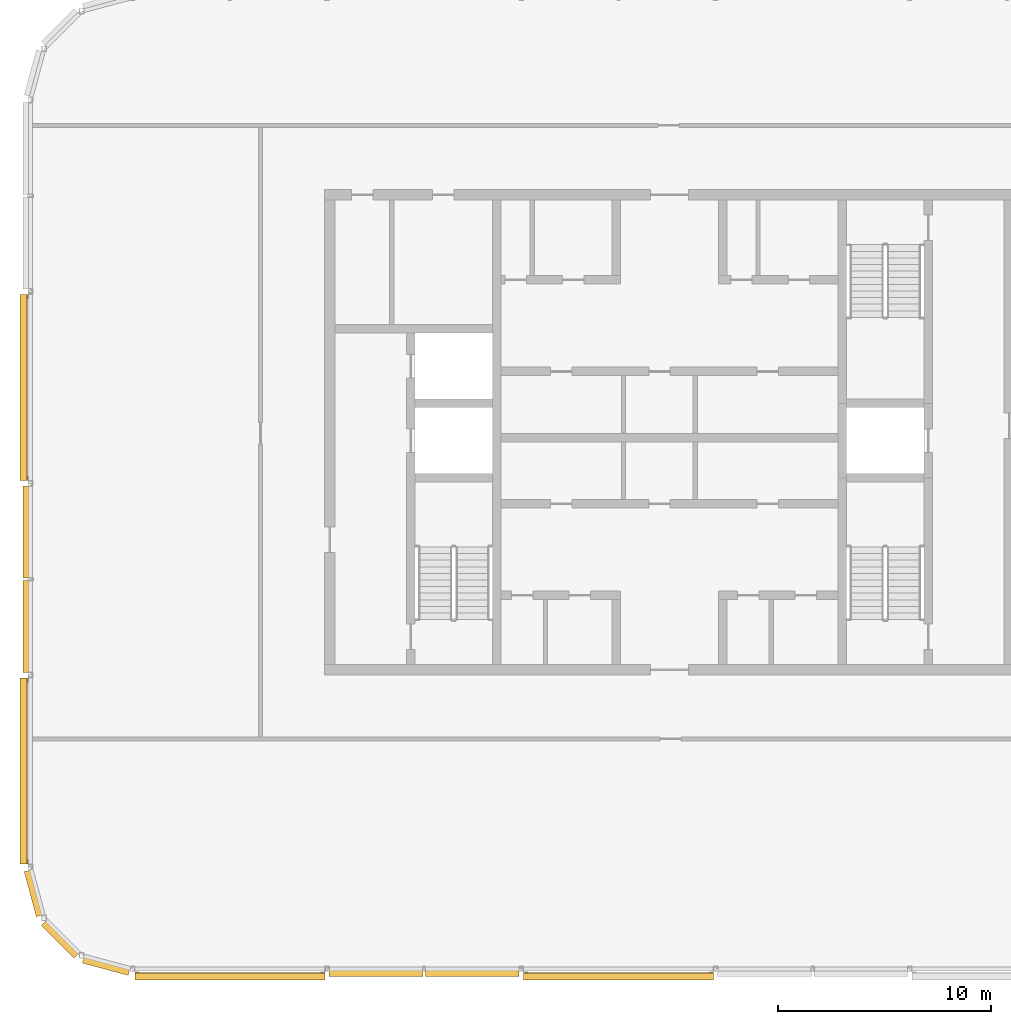
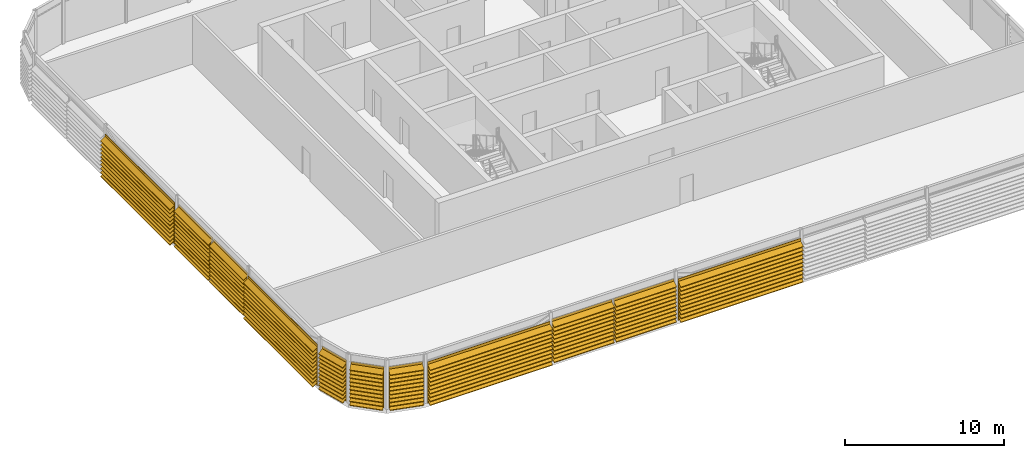
# One storey, part 24 of 28: 11 shading devices.
"""IFC4 building model written with IfcOpenShell, lengths in metres."""

import ifcopenshell
import ifcopenshell.guid

model = None  # the IFC model being written
_history = None  # IfcOwnerHistory: only IFC2X3 demands one
_inside = {}  # id of a spatial element -> (the spatial element, [elements in it])
_under = {}  # id of a project, library or spatial element -> (it, [spatial elements below it])
_declared = {}  # id of a project -> (the project, [libraries it declares])
_typed = {}  # id of a type object -> (the type object, [elements of that type])
_made_of = {}  # id of a material, layer set ... -> (it, [elements and type objects made of it])


def new_model(schema):
    """Start an empty IFC model of exactly this schema.

    Asked for "IFC4X3", IfcOpenShell would pick the latest addendum, in which some entities
    have other attributes; the version numbers below select the first issue.
    IFC2X3 requires an IfcOwnerHistory on every rooted entity: one is made here for all.
    """
    global model, _history
    if schema == "IFC4X3":
        model = ifcopenshell.file(schema_version=(4, 3, 0, 0))
    else:
        model = ifcopenshell.file(schema=schema)
    _inside.clear()
    _under.clear()
    _declared.clear()
    _typed.clear()
    _made_of.clear()
    _history = None
    if model.schema == "IFC2X3":
        org = make("IfcOrganization", Name="unknown")
        user = make(
            "IfcPersonAndOrganization",
            ThePerson=make("IfcPerson", FamilyName="unknown"),
            TheOrganization=org,
        )
        app = make(
            "IfcApplication",
            ApplicationDeveloper=org,
            Version="unknown",
            ApplicationFullName="unknown",
            ApplicationIdentifier="unknown",
        )
        _history = make(
            "IfcOwnerHistory",
            OwningUser=user,
            OwningApplication=app,
            ChangeAction="ADDED",
            CreationDate=0,
        )
    return model


def make(cls, **values):
    """One entity of the class cls with the attributes given. An attribute that is None is left unset."""
    return model.create_entity(
        cls, **{name: value for name, value in values.items() if value is not None}
    )


def rooted(cls, **values):
    """An entity with a GlobalId (a new one), such as an element, a storey or a relation."""
    return make(cls, GlobalId=ifcopenshell.guid.new(), OwnerHistory=_history, **values)


def si_unit(unit_type, name, prefix=None):
    """IfcSIUnit, for example si_unit("LENGTHUNIT", "METRE", prefix="MILLI")."""
    return make("IfcSIUnit", UnitType=unit_type, Prefix=prefix, Name=name)


def assignment(units):
    """IfcUnitAssignment: the units of a project."""
    return None if units is None else make("IfcUnitAssignment", Units=units)


def point(xyz):
    """IfcCartesianPoint."""
    return None if xyz is None else make("IfcCartesianPoint", Coordinates=xyz)


def direction(xyz):
    """IfcDirection."""
    return None if xyz is None else make("IfcDirection", DirectionRatios=xyz)


def frame(location, z_axis=None, x_axis=None):
    """IfcAxis2Placement3D, a coordinate frame: its origin and axes. An axis left out is left unset."""
    return make(
        "IfcAxis2Placement3D",
        Location=point(location),
        Axis=direction(z_axis),
        RefDirection=direction(x_axis),
    )


def origin():
    """The frame at (0, 0, 0) with its axes left unset."""
    return frame((0.0, 0.0, 0.0))


def place(relative_to, where):
    """IfcLocalPlacement: puts the frame where relative to a parent placement (None: the world)."""
    return make(
        "IfcLocalPlacement", PlacementRelTo=relative_to, RelativePlacement=where
    )


def context(
    kind, dimensions, precision=None, world=None, true_north=None, identifier=None
):
    """IfcGeometricRepresentationContext, for example the 3D "Model" context."""
    return make(
        "IfcGeometricRepresentationContext",
        ContextIdentifier=identifier,
        ContextType=kind,
        CoordinateSpaceDimension=dimensions,
        Precision=precision,
        WorldCoordinateSystem=world,
        TrueNorth=true_north,
    )


def subcontext(parent, identifier, kind, view, scale=None):
    """IfcGeometricRepresentationSubContext, for example "Body" below "Model"."""
    return make(
        "IfcGeometricRepresentationSubContext",
        ContextIdentifier=identifier,
        ContextType=kind,
        ParentContext=parent,
        TargetScale=scale,
        TargetView=view,
    )


def project(units=None, contexts=None):
    """IfcProject with its units and contexts."""
    return rooted(
        "IfcProject",
        Name="project",
        RepresentationContexts=contexts,
        UnitsInContext=assignment(units),
    )


def spatial(cls, under=None, at=None, **own):
    """A site, building, storey or space (cls), placed at a placement, below another one or the project."""
    s = rooted(cls, ObjectPlacement=at, **own)
    if under is not None:
        _under.setdefault(under.id(), (under, []))[1].append(s)
    return s


def polyline(points):
    """IfcPolyline through the points."""
    return make("IfcPolyline", Points=[point(p) for p in points])


def outline(outer, holes=None, kind="AREA"):
    """IfcArbitraryClosedProfileDef: a profile drawn as a closed curve; with holes, ...WithVoids."""
    if holes is None:
        return make("IfcArbitraryClosedProfileDef", ProfileType=kind, OuterCurve=outer)
    return make(
        "IfcArbitraryProfileDefWithVoids",
        ProfileType=kind,
        OuterCurve=outer,
        InnerCurves=holes,
    )


def extrude(swept, where, along, depth):
    """IfcExtrudedAreaSolid: the profile swept, set in the frame where, extruded along a direction by depth."""
    return make(
        "IfcExtrudedAreaSolid",
        SweptArea=swept,
        Position=where,
        ExtrudedDirection=direction(along),
        Depth=depth,
    )


def shape(context_of_items, identifier, shape_type, items):
    """IfcShapeRepresentation: the items that make up one representation, for example the "Body"."""
    return make(
        "IfcShapeRepresentation",
        ContextOfItems=context_of_items,
        RepresentationIdentifier=identifier,
        RepresentationType=shape_type,
        Items=items,
    )


def material(Name=None, Category=None):
    """IfcMaterial."""
    return make("IfcMaterial", Name=Name, Category=Category)


def made_of(thing, what):
    """Note that an element or type object is made of a material, layer set ...; save() writes the relation."""
    if what is not None:
        _made_of.setdefault(what.id(), (what, []))[1].append(thing)
    return thing


def type_object(cls, material=None, **own):
    """A type object (cls), such as IfcWallType, which elements share."""
    return made_of(rooted(cls, **own), material)


def element(
    cls,
    number,
    at=None,
    inside=None,
    cuts=None,
    type_object=None,
    material=None,
    context=None,
    identifier="Body",
    shape_type=None,
    held_by="IfcProductDefinitionShape",
    body=None,
    shapes=None,
    **own,
):
    """One element of the class cls, such as IfcWall. Its Tag is "e" and its number.

    at: its placement. inside: the storey or other place that contains it. cuts: it is an
    opening in that element (IfcRelVoidsElement). A single representation is given by context,
    identifier, shape_type and body (its items); several are given by shapes. held_by: the class
    of the entity that holds the representations. save() writes the other relations.
    """
    e = rooted(cls, Tag="e%d" % number, ObjectPlacement=at, **own)
    if body is not None:
        shapes = [shape(context, identifier, shape_type, body)]
    if shapes is not None:
        e.Representation = make(held_by, Representations=shapes)
    if inside is not None:
        _inside.setdefault(inside.id(), (inside, []))[1].append(e)
    if cuts is not None:
        rooted(
            "IfcRelVoidsElement", RelatingBuildingElement=cuts, RelatedOpeningElement=e
        )
    if type_object is not None:
        _typed.setdefault(type_object.id(), (type_object, []))[1].append(e)
    return made_of(e, material)


def aggregate(whole, parts):
    """IfcRelAggregates: a whole, such as a stair, and the parts it consists of."""
    return rooted("IfcRelAggregates", RelatingObject=whole, RelatedObjects=parts)


def save(model, path):
    """Write the relations noted so far, then the file.

    IfcRelAggregates (storeys below a building ...), IfcRelContainedInSpatialStructure (elements
    in a storey), IfcRelDefinesByType, IfcRelAssociatesMaterial and IfcRelDeclares: one each for
    every whole, place, type object, material and project.
    """
    for whole, parts in _under.values():
        aggregate(whole, parts)
    for where, things in _inside.values():
        rooted(
            "IfcRelContainedInSpatialStructure",
            RelatedElements=things,
            RelatingStructure=where,
        )
    for kind, things in _typed.values():
        rooted("IfcRelDefinesByType", RelatedObjects=things, RelatingType=kind)
    for what, things in _made_of.values():
        rooted("IfcRelAssociatesMaterial", RelatedObjects=things, RelatingMaterial=what)
    for by, libraries in _declared.values():
        rooted("IfcRelDeclares", RelatingContext=by, RelatedDefinitions=libraries)
    model.write(path)


model = new_model("IFC4")

# Units and contexts
model_context = context("Model", 3, precision=1e-05, world=origin(), true_north=direction((0.0, 1.0)))
body_context = subcontext(model_context, "Body", "Model", "MODEL_VIEW")
ifc_project = project(units=[si_unit("LENGTHUNIT", "METRE"), si_unit("AREAUNIT", "SQUARE_METRE"), si_unit("VOLUMEUNIT", "CUBIC_METRE"), si_unit("PLANEANGLEUNIT", "RADIAN"), si_unit("MASSUNIT", "GRAM", prefix="KILO")], contexts=[model_context])

# Site, building, storey
site_placement = place(None, origin())
site = spatial("IfcSite", under=ifc_project, at=site_placement, CompositionType="ELEMENT")
building_placement = place(site_placement, origin())
building = spatial("IfcBuilding", under=site, at=building_placement, Name="Madar Terraces", CompositionType="ELEMENT")
storey_placement = place(building_placement, frame((0.0, 0.0, 305.89990234375)))
storey = spatial("IfcBuildingStorey", under=building, at=storey_placement, Name="L79", CompositionType="ELEMENT", Elevation=305.89990234375)

# Shading devices
ifc_material = material(Name="Aluminium, black anodised", Category="aluminium")
shading_device_type = type_object("IfcShadingDeviceType", Name="Crown louvre bank", PredefinedType="USERDEFINED", material=ifc_material)
shading_device_1_placement = place(storey_placement, frame((6.1015625, 1.199951171875, 0.0), z_axis=(1.0, 0.0, 0.0), x_axis=(0.0, 1.0, 0.0)))
element("IfcShadingDevice", 1, at=shading_device_1_placement, inside=storey, type_object=shading_device_type, Name="LOUVRE bank L79 1.1", ObjectType="LOUVRE", PredefinedType="USERDEFINED", context=body_context, shape_type="SweptSolid", body=[
    extrude(outline(polyline([(-0.156982421875, 0.0), (-0.18701171875, 0.0), (-0.18701171875, 0.24951171875), (-0.5146484375, 0.02001953125), (-0.5146484375, 0.06884765625), (-0.18701171875, 0.29833984375), (-0.18701171875, 0.54931640625), (-0.5146484375, 0.320068359375), (-0.5146484375, 0.368896484375), (-0.18701171875, 0.59814453125), (-0.18701171875, 0.849365234375), (-0.5146484375, 0.6201171875), (-0.5146484375, 0.6689453125), (-0.18701171875, 0.898193359375), (-0.18701171875, 1.1494140625), (-0.5146484375, 0.919921875), (-0.5146484375, 0.96875), (-0.18701171875, 1.1982421875), (-0.18701171875, 1.449462890625), (-0.5146484375, 1.219970703125), (-0.5146484375, 1.268798828125), (-0.18701171875, 1.498291015625), (-0.18701171875, 1.74951171875), (-0.5146484375, 1.52001953125), (-0.5146484375, 1.56884765625), (-0.18701171875, 1.79833984375), (-0.18701171875, 2.04931640625), (-0.5146484375, 1.820068359375), (-0.5146484375, 1.868896484375), (-0.18701171875, 2.09814453125), (-0.18701171875, 2.349365234375), (-0.5146484375, 2.1201171875), (-0.5146484375, 2.1689453125), (-0.18701171875, 2.398193359375), (-0.18701171875, 2.6494140625), (-0.5146484375, 2.419921875), (-0.5146484375, 2.46875), (-0.18701171875, 2.6982421875), (-0.18701171875, 2.949462890625), (-0.5146484375, 2.719970703125), (-0.5146484375, 2.768798828125), (-0.18701171875, 2.998291015625), (-0.18701171875, 3.197998046875), (-0.156982421875, 3.197998046875), (-0.156982421875, 0.0)])), origin(), (0.0, 0.0, 1.0), 8.916748046875),
])
shading_device_2_placement = place(storey_placement, frame((15.2216796875, 1.199951171875, 0.0), z_axis=(1.0, 0.0, 0.0), x_axis=(0.0, 1.0, 0.0)))
element("IfcShadingDevice", 2, at=shading_device_2_placement, inside=storey, type_object=shading_device_type, Name="LOUVRE bank L79 2.1", ObjectType="LOUVRE", PredefinedType="USERDEFINED", context=body_context, shape_type="SweptSolid", body=[
    extrude(outline(polyline([(0.014892578125, 0.0), (-0.014892578125, 0.0), (-0.014892578125, 0.24951171875), (-0.3427734375, 0.02001953125), (-0.3427734375, 0.06884765625), (-0.014892578125, 0.29833984375), (-0.014892578125, 0.54931640625), (-0.3427734375, 0.320068359375), (-0.3427734375, 0.368896484375), (-0.014892578125, 0.59814453125), (-0.014892578125, 0.849365234375), (-0.3427734375, 0.6201171875), (-0.3427734375, 0.6689453125), (-0.014892578125, 0.898193359375), (-0.014892578125, 1.1494140625), (-0.3427734375, 0.919921875), (-0.3427734375, 0.96875), (-0.014892578125, 1.1982421875), (-0.014892578125, 1.449462890625), (-0.3427734375, 1.219970703125), (-0.3427734375, 1.268798828125), (-0.014892578125, 1.498291015625), (-0.014892578125, 1.74951171875), (-0.3427734375, 1.52001953125), (-0.3427734375, 1.56884765625), (-0.014892578125, 1.79833984375), (-0.014892578125, 2.04931640625), (-0.3427734375, 1.820068359375), (-0.3427734375, 1.868896484375), (-0.014892578125, 2.09814453125), (-0.014892578125, 2.349365234375), (-0.3427734375, 2.1201171875), (-0.3427734375, 2.1689453125), (-0.014892578125, 2.398193359375), (-0.014892578125, 2.6494140625), (-0.3427734375, 2.419921875), (-0.3427734375, 2.46875), (-0.014892578125, 2.6982421875), (-0.014892578125, 2.949462890625), (-0.3427734375, 2.719970703125), (-0.3427734375, 2.768798828125), (-0.014892578125, 2.998291015625), (-0.014892578125, 3.197998046875), (0.014892578125, 3.197998046875), (0.014892578125, 0.0)])), origin(), (0.0, 0.0, 1.0), 4.394775390625),
])
shading_device_3_placement = place(storey_placement, frame((19.743408203125, 1.199951171875, 0.0), z_axis=(1.0, 0.0, 0.0), x_axis=(0.0, 1.0, 0.0)))
element("IfcShadingDevice", 3, at=shading_device_3_placement, inside=storey, type_object=shading_device_type, Name="LOUVRE bank L79 2.2", ObjectType="LOUVRE", PredefinedType="USERDEFINED", context=body_context, shape_type="SweptSolid", body=[
    extrude(outline(polyline([(0.014892578125, 0.0), (-0.014892578125, 0.0), (-0.014892578125, 0.24951171875), (-0.3427734375, 0.02001953125), (-0.3427734375, 0.06884765625), (-0.014892578125, 0.29833984375), (-0.014892578125, 0.54931640625), (-0.3427734375, 0.320068359375), (-0.3427734375, 0.368896484375), (-0.014892578125, 0.59814453125), (-0.014892578125, 0.849365234375), (-0.3427734375, 0.6201171875), (-0.3427734375, 0.6689453125), (-0.014892578125, 0.898193359375), (-0.014892578125, 1.1494140625), (-0.3427734375, 0.919921875), (-0.3427734375, 0.96875), (-0.014892578125, 1.1982421875), (-0.014892578125, 1.449462890625), (-0.3427734375, 1.219970703125), (-0.3427734375, 1.268798828125), (-0.014892578125, 1.498291015625), (-0.014892578125, 1.74951171875), (-0.3427734375, 1.52001953125), (-0.3427734375, 1.56884765625), (-0.014892578125, 1.79833984375), (-0.014892578125, 2.04931640625), (-0.3427734375, 1.820068359375), (-0.3427734375, 1.868896484375), (-0.014892578125, 2.09814453125), (-0.014892578125, 2.349365234375), (-0.3427734375, 2.1201171875), (-0.3427734375, 2.1689453125), (-0.014892578125, 2.398193359375), (-0.014892578125, 2.6494140625), (-0.3427734375, 2.419921875), (-0.3427734375, 2.46875), (-0.014892578125, 2.6982421875), (-0.014892578125, 2.949462890625), (-0.3427734375, 2.719970703125), (-0.3427734375, 2.768798828125), (-0.014892578125, 2.998291015625), (-0.014892578125, 3.197998046875), (0.014892578125, 3.197998046875), (0.014892578125, 0.0)])), origin(), (0.0, 0.0, 1.0), 4.39501953125),
])
shading_device_4_placement = place(storey_placement, frame((24.341552734375, 1.199951171875, 0.0), z_axis=(1.0, 0.0, 0.0), x_axis=(0.0, 1.0, 0.0)))
element("IfcShadingDevice", 4, at=shading_device_4_placement, inside=storey, type_object=shading_device_type, Name="LOUVRE bank L79 3.1", ObjectType="LOUVRE", PredefinedType="USERDEFINED", context=body_context, shape_type="SweptSolid", body=[
    extrude(outline(polyline([(-0.156982421875, 0.0), (-0.18701171875, 0.0), (-0.18701171875, 0.24951171875), (-0.5146484375, 0.02001953125), (-0.5146484375, 0.06884765625), (-0.18701171875, 0.29833984375), (-0.18701171875, 0.54931640625), (-0.5146484375, 0.320068359375), (-0.5146484375, 0.368896484375), (-0.18701171875, 0.59814453125), (-0.18701171875, 0.849365234375), (-0.5146484375, 0.6201171875), (-0.5146484375, 0.6689453125), (-0.18701171875, 0.898193359375), (-0.18701171875, 1.1494140625), (-0.5146484375, 0.919921875), (-0.5146484375, 0.96875), (-0.18701171875, 1.1982421875), (-0.18701171875, 1.449462890625), (-0.5146484375, 1.219970703125), (-0.5146484375, 1.268798828125), (-0.18701171875, 1.498291015625), (-0.18701171875, 1.74951171875), (-0.5146484375, 1.52001953125), (-0.5146484375, 1.56884765625), (-0.18701171875, 1.79833984375), (-0.18701171875, 2.04931640625), (-0.5146484375, 1.820068359375), (-0.5146484375, 1.868896484375), (-0.18701171875, 2.09814453125), (-0.18701171875, 2.349365234375), (-0.5146484375, 2.1201171875), (-0.5146484375, 2.1689453125), (-0.18701171875, 2.398193359375), (-0.18701171875, 2.6494140625), (-0.5146484375, 2.419921875), (-0.5146484375, 2.46875), (-0.18701171875, 2.6982421875), (-0.18701171875, 2.949462890625), (-0.5146484375, 2.719970703125), (-0.5146484375, 2.768798828125), (-0.18701171875, 2.998291015625), (-0.18701171875, 3.197998046875), (-0.156982421875, 3.197998046875), (-0.156982421875, 0.0)])), origin(), (0.0, 0.0, 1.0), 8.916748046875),
])
shading_device_5_placement = place(storey_placement, frame((1.199951171875, 32.873046875, 0.0), z_axis=(0.0, -1.0, 0.0), x_axis=(1.0, 0.0, 0.0)))
element("IfcShadingDevice", 5, at=shading_device_5_placement, inside=storey, type_object=shading_device_type, Name="LOUVRE bank L79 25.1", ObjectType="LOUVRE", PredefinedType="USERDEFINED", context=body_context, shape_type="SweptSolid", body=[
    extrude(outline(polyline([(-0.131591796875, 0.0), (-0.16162109375, 0.0), (-0.16162109375, 0.24951171875), (-0.4892578125, 0.02001953125), (-0.4892578125, 0.06884765625), (-0.16162109375, 0.29833984375), (-0.16162109375, 0.54931640625), (-0.4892578125, 0.320068359375), (-0.4892578125, 0.368896484375), (-0.16162109375, 0.59814453125), (-0.16162109375, 0.849365234375), (-0.4892578125, 0.6201171875), (-0.4892578125, 0.6689453125), (-0.16162109375, 0.898193359375), (-0.16162109375, 1.1494140625), (-0.4892578125, 0.919921875), (-0.4892578125, 0.96875), (-0.16162109375, 1.1982421875), (-0.16162109375, 1.449462890625), (-0.4892578125, 1.219970703125), (-0.4892578125, 1.268798828125), (-0.16162109375, 1.498291015625), (-0.16162109375, 1.74951171875), (-0.4892578125, 1.52001953125), (-0.4892578125, 1.56884765625), (-0.16162109375, 1.79833984375), (-0.16162109375, 2.04931640625), (-0.4892578125, 1.820068359375), (-0.4892578125, 1.868896484375), (-0.16162109375, 2.09814453125), (-0.16162109375, 2.349365234375), (-0.4892578125, 2.1201171875), (-0.4892578125, 2.1689453125), (-0.16162109375, 2.398193359375), (-0.16162109375, 2.6494140625), (-0.4892578125, 2.419921875), (-0.4892578125, 2.46875), (-0.16162109375, 2.6982421875), (-0.16162109375, 2.949462890625), (-0.4892578125, 2.719970703125), (-0.4892578125, 2.768798828125), (-0.16162109375, 2.998291015625), (-0.16162109375, 3.197998046875), (-0.131591796875, 3.197998046875), (-0.131591796875, 0.0)])), origin(), (0.0, 0.0, 1.0), 8.74609375),
])
for number, where, z_axis, x_axis, name in (
    (6, (1.199951171875, 23.873046875, 0.0), (0.0, -1.0, 0.0), (1.0, 0.0, 0.0), "LOUVRE bank L79 26.1"),
    (7, (1.199951171875, 19.4365234375, 0.0), (0.0, -1.0, 0.0), (1.0, 0.0, 0.0), "LOUVRE bank L79 26.2"),
):
    element("IfcShadingDevice", number, at=place(storey_placement, frame(where, z_axis=z_axis, x_axis=x_axis)), inside=storey, type_object=shading_device_type, Name=name, ObjectType="LOUVRE", PredefinedType="USERDEFINED", context=body_context, shape_type="SweptSolid", body=[
        extrude(outline(polyline([(0.014892578125, 0.0), (-0.014892578125, 0.0), (-0.014892578125, 0.24951171875), (-0.3427734375, 0.02001953125), (-0.3427734375, 0.06884765625), (-0.014892578125, 0.29833984375), (-0.014892578125, 0.54931640625), (-0.3427734375, 0.320068359375), (-0.3427734375, 0.368896484375), (-0.014892578125, 0.59814453125), (-0.014892578125, 0.849365234375), (-0.3427734375, 0.6201171875), (-0.3427734375, 0.6689453125), (-0.014892578125, 0.898193359375), (-0.014892578125, 1.1494140625), (-0.3427734375, 0.919921875), (-0.3427734375, 0.96875), (-0.014892578125, 1.1982421875), (-0.014892578125, 1.449462890625), (-0.3427734375, 1.219970703125), (-0.3427734375, 1.268798828125), (-0.014892578125, 1.498291015625), (-0.014892578125, 1.74951171875), (-0.3427734375, 1.52001953125), (-0.3427734375, 1.56884765625), (-0.014892578125, 1.79833984375), (-0.014892578125, 2.04931640625), (-0.3427734375, 1.820068359375), (-0.3427734375, 1.868896484375), (-0.014892578125, 2.09814453125), (-0.014892578125, 2.349365234375), (-0.3427734375, 2.1201171875), (-0.3427734375, 2.1689453125), (-0.014892578125, 2.398193359375), (-0.014892578125, 2.6494140625), (-0.3427734375, 2.419921875), (-0.3427734375, 2.46875), (-0.014892578125, 2.6982421875), (-0.014892578125, 2.949462890625), (-0.3427734375, 2.719970703125), (-0.3427734375, 2.768798828125), (-0.014892578125, 2.998291015625), (-0.014892578125, 3.197998046875), (0.014892578125, 3.197998046875), (0.014892578125, 0.0)])), origin(), (0.0, 0.0, 1.0), 4.3095703125),
    ])
shading_device_6_placement = place(storey_placement, frame((1.199951171875, 14.873046875, 0.0), z_axis=(0.0, -1.0, 0.0), x_axis=(1.0, 0.0, 0.0)))
element("IfcShadingDevice", 8, at=shading_device_6_placement, inside=storey, type_object=shading_device_type, Name="LOUVRE bank L79 27.1", ObjectType="LOUVRE", PredefinedType="USERDEFINED", context=body_context, shape_type="SweptSolid", body=[
    extrude(outline(polyline([(-0.131591796875, 0.0), (-0.16162109375, 0.0), (-0.16162109375, 0.24951171875), (-0.4892578125, 0.02001953125), (-0.4892578125, 0.06884765625), (-0.16162109375, 0.29833984375), (-0.16162109375, 0.54931640625), (-0.4892578125, 0.320068359375), (-0.4892578125, 0.368896484375), (-0.16162109375, 0.59814453125), (-0.16162109375, 0.849365234375), (-0.4892578125, 0.6201171875), (-0.4892578125, 0.6689453125), (-0.16162109375, 0.898193359375), (-0.16162109375, 1.1494140625), (-0.4892578125, 0.919921875), (-0.4892578125, 0.96875), (-0.16162109375, 1.1982421875), (-0.16162109375, 1.449462890625), (-0.4892578125, 1.219970703125), (-0.4892578125, 1.268798828125), (-0.16162109375, 1.498291015625), (-0.16162109375, 1.74951171875), (-0.4892578125, 1.52001953125), (-0.4892578125, 1.56884765625), (-0.16162109375, 1.79833984375), (-0.16162109375, 2.04931640625), (-0.4892578125, 1.820068359375), (-0.4892578125, 1.868896484375), (-0.16162109375, 2.09814453125), (-0.16162109375, 2.349365234375), (-0.4892578125, 2.1201171875), (-0.4892578125, 2.1689453125), (-0.16162109375, 2.398193359375), (-0.16162109375, 2.6494140625), (-0.4892578125, 2.419921875), (-0.4892578125, 2.46875), (-0.16162109375, 2.6982421875), (-0.16162109375, 2.949462890625), (-0.4892578125, 2.719970703125), (-0.4892578125, 2.768798828125), (-0.16162109375, 2.998291015625), (-0.16162109375, 3.197998046875), (-0.131591796875, 3.197998046875), (-0.131591796875, 0.0)])), origin(), (0.0, 0.0, 1.0), 8.74609375),
])
shading_device_7_placement = place(storey_placement, frame((1.238525390625, 5.856201171875, 0.0), z_axis=(0.258788169352, -0.965934098893, 0.0), x_axis=(0.965934098893, 0.258788169352, 0.0)))
element("IfcShadingDevice", 9, at=shading_device_7_placement, inside=storey, type_object=shading_device_type, Name="LOUVRE bank L79 28.1", ObjectType="LOUVRE", PredefinedType="USERDEFINED", context=body_context, shape_type="SweptSolid", body=[
    extrude(outline(polyline([(0.014892578125, 0.0), (-0.014892578125, 0.0), (-0.014892578125, 0.24951171875), (-0.3427734375, 0.02001953125), (-0.3427734375, 0.06884765625), (-0.014892578125, 0.29833984375), (-0.014892578125, 0.54931640625), (-0.3427734375, 0.320068359375), (-0.3427734375, 0.368896484375), (-0.014892578125, 0.59814453125), (-0.014892578125, 0.849365234375), (-0.3427734375, 0.6201171875), (-0.3427734375, 0.6689453125), (-0.014892578125, 0.898193359375), (-0.014892578125, 1.1494140625), (-0.3427734375, 0.919921875), (-0.3427734375, 0.96875), (-0.014892578125, 1.1982421875), (-0.014892578125, 1.449462890625), (-0.3427734375, 1.219970703125), (-0.3427734375, 1.268798828125), (-0.014892578125, 1.498291015625), (-0.014892578125, 1.74951171875), (-0.3427734375, 1.52001953125), (-0.3427734375, 1.56884765625), (-0.014892578125, 1.79833984375), (-0.014892578125, 2.04931640625), (-0.3427734375, 1.820068359375), (-0.3427734375, 1.868896484375), (-0.014892578125, 2.09814453125), (-0.014892578125, 2.349365234375), (-0.3427734375, 2.1201171875), (-0.3427734375, 2.1689453125), (-0.014892578125, 2.398193359375), (-0.014892578125, 2.6494140625), (-0.3427734375, 2.419921875), (-0.3427734375, 2.46875), (-0.014892578125, 2.6982421875), (-0.014892578125, 2.949462890625), (-0.3427734375, 2.719970703125), (-0.3427734375, 2.768798828125), (-0.014892578125, 2.998291015625), (-0.014892578125, 3.197998046875), (0.014892578125, 3.197998046875), (0.014892578125, 0.0)])), origin(), (0.0, 0.0, 1.0), 2.186767578125),
])
shading_device_8_placement = place(storey_placement, frame((1.957275390625, 3.485595703125, 0.0), z_axis=(0.707106781187, -0.707106781187, 0.0), x_axis=(0.707106781187, 0.707106781187, 0.0)))
element("IfcShadingDevice", 10, at=shading_device_8_placement, inside=storey, type_object=shading_device_type, Name="LOUVRE bank L79 29.1", ObjectType="LOUVRE", PredefinedType="USERDEFINED", context=body_context, shape_type="SweptSolid", body=[
    extrude(outline(polyline([(0.014892578125, 0.0), (-0.014892578125, 0.0), (-0.014892578125, 0.24951171875), (-0.3427734375, 0.02001953125), (-0.3427734375, 0.06884765625), (-0.014892578125, 0.29833984375), (-0.014892578125, 0.54931640625), (-0.3427734375, 0.320068359375), (-0.3427734375, 0.368896484375), (-0.014892578125, 0.59814453125), (-0.014892578125, 0.849365234375), (-0.3427734375, 0.6201171875), (-0.3427734375, 0.6689453125), (-0.014892578125, 0.898193359375), (-0.014892578125, 1.1494140625), (-0.3427734375, 0.919921875), (-0.3427734375, 0.96875), (-0.014892578125, 1.1982421875), (-0.014892578125, 1.449462890625), (-0.3427734375, 1.219970703125), (-0.3427734375, 1.268798828125), (-0.014892578125, 1.498291015625), (-0.014892578125, 1.74951171875), (-0.3427734375, 1.52001953125), (-0.3427734375, 1.56884765625), (-0.014892578125, 1.79833984375), (-0.014892578125, 2.04931640625), (-0.3427734375, 1.820068359375), (-0.3427734375, 1.868896484375), (-0.014892578125, 2.09814453125), (-0.014892578125, 2.349365234375), (-0.3427734375, 2.1201171875), (-0.3427734375, 2.1689453125), (-0.014892578125, 2.398193359375), (-0.014892578125, 2.6494140625), (-0.3427734375, 2.419921875), (-0.3427734375, 2.46875), (-0.014892578125, 2.6982421875), (-0.014892578125, 2.949462890625), (-0.3427734375, 2.719970703125), (-0.3427734375, 2.768798828125), (-0.014892578125, 2.998291015625), (-0.014892578125, 3.197998046875), (0.014892578125, 3.197998046875), (0.014892578125, 0.0)])), origin(), (0.0, 0.0, 1.0), 2.161376953125),
])
shading_device_9_placement = place(storey_placement, frame((3.7265625, 1.80908203125, 0.0), z_axis=(0.965935304808, -0.258783668197, 0.0), x_axis=(0.258783668197, 0.965935304808, 0.0)))
element("IfcShadingDevice", 11, at=shading_device_9_placement, inside=storey, type_object=shading_device_type, Name="LOUVRE bank L79 30.1", ObjectType="LOUVRE", PredefinedType="USERDEFINED", context=body_context, shape_type="SweptSolid", body=[
    extrude(outline(polyline([(0.014892578125, 0.0), (-0.014892578125, 0.0), (-0.014892578125, 0.24951171875), (-0.3427734375, 0.02001953125), (-0.3427734375, 0.06884765625), (-0.014892578125, 0.29833984375), (-0.014892578125, 0.54931640625), (-0.3427734375, 0.320068359375), (-0.3427734375, 0.368896484375), (-0.014892578125, 0.59814453125), (-0.014892578125, 0.849365234375), (-0.3427734375, 0.6201171875), (-0.3427734375, 0.6689453125), (-0.014892578125, 0.898193359375), (-0.014892578125, 1.1494140625), (-0.3427734375, 0.919921875), (-0.3427734375, 0.96875), (-0.014892578125, 1.1982421875), (-0.014892578125, 1.449462890625), (-0.3427734375, 1.219970703125), (-0.3427734375, 1.268798828125), (-0.014892578125, 1.498291015625), (-0.014892578125, 1.74951171875), (-0.3427734375, 1.52001953125), (-0.3427734375, 1.56884765625), (-0.014892578125, 1.79833984375), (-0.014892578125, 2.04931640625), (-0.3427734375, 1.820068359375), (-0.3427734375, 1.868896484375), (-0.014892578125, 2.09814453125), (-0.014892578125, 2.349365234375), (-0.3427734375, 2.1201171875), (-0.3427734375, 2.1689453125), (-0.014892578125, 2.398193359375), (-0.014892578125, 2.6494140625), (-0.3427734375, 2.419921875), (-0.3427734375, 2.46875), (-0.014892578125, 2.6982421875), (-0.014892578125, 2.949462890625), (-0.3427734375, 2.719970703125), (-0.3427734375, 2.768798828125), (-0.014892578125, 2.998291015625), (-0.014892578125, 3.197998046875), (0.014892578125, 3.197998046875), (0.014892578125, 0.0)])), origin(), (0.0, 0.0, 1.0), 2.22265625),
])

save(model, "model.ifc")
